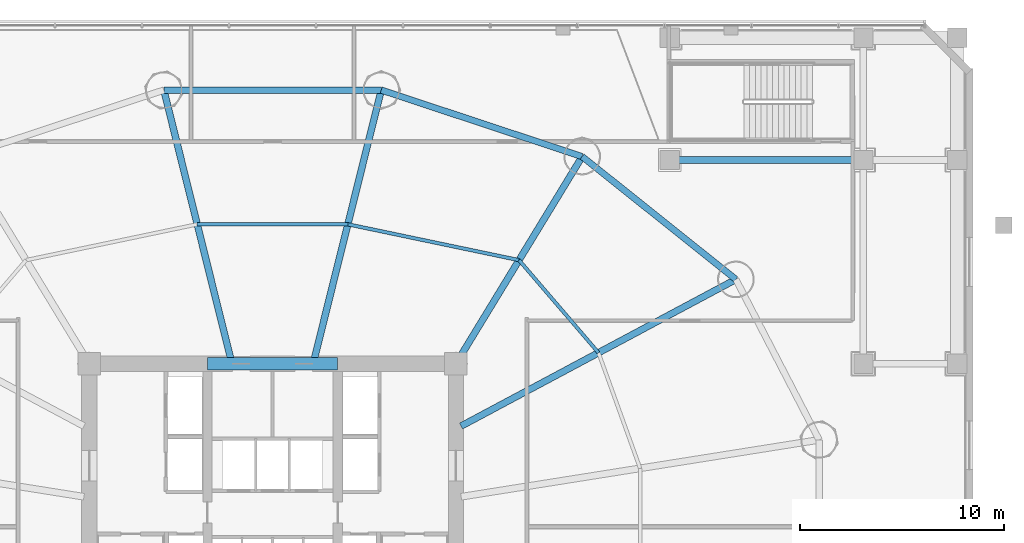
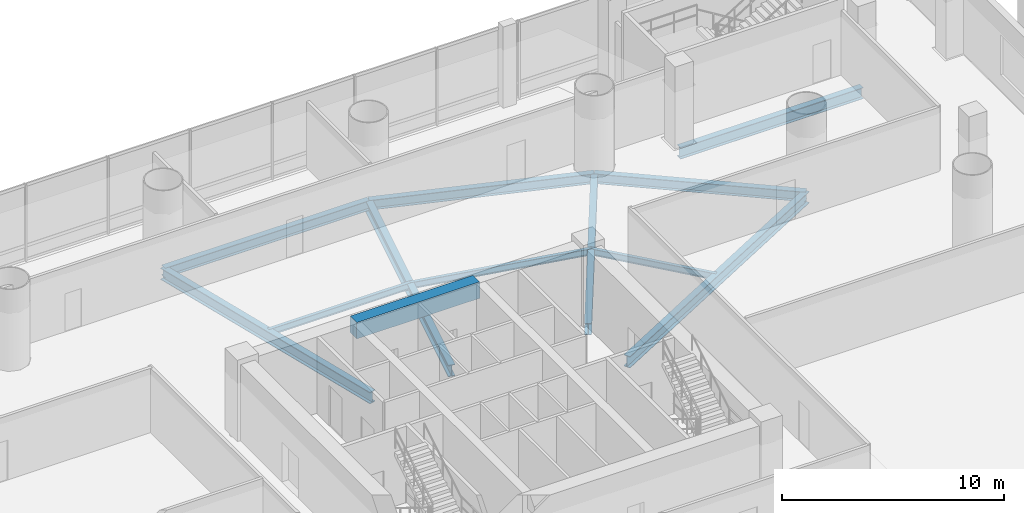
# One storey, part 13 of 36: 12 beams.
"""IFC4 building model written with IfcOpenShell, lengths in metres."""

from ifc_helpers import new_model, si_unit, direction, frame, origin, origin_2d, place, context, subcontext, project, spatial, rectangle, i_section, extrude, material, material_profile, profile_set, type_object, element, save


model = new_model("IFC4")

# Units and contexts
model_context = context("Model", 3, precision=1e-05, world=origin(), true_north=direction((-0.2419218956, 0.970295726276)))
body_context = subcontext(model_context, "Body", "Model", "MODEL_VIEW")
ifc_project = project(units=[si_unit("LENGTHUNIT", "METRE"), si_unit("AREAUNIT", "SQUARE_METRE"), si_unit("VOLUMEUNIT", "CUBIC_METRE"), si_unit("PLANEANGLEUNIT", "RADIAN"), si_unit("MASSUNIT", "GRAM", prefix="KILO")], contexts=[model_context])

# Site, building, storey
site_placement = place(None, origin())
site = spatial("IfcSite", under=ifc_project, at=site_placement, CompositionType="ELEMENT")
building_placement = place(site_placement, origin())
building = spatial("IfcBuilding", under=site, at=building_placement, Name="Cobrevalo Terracotta Tower", CompositionType="ELEMENT")
storey_placement = place(building_placement, frame((0.0, 0.0, 9.89990234375)))
storey = spatial("IfcBuildingStorey", under=building, at=storey_placement, Name="L02", CompositionType="ELEMENT", Elevation=9.89990234375)

# Beams
ifc_material_1 = material(Name="Concrete C60", Category="concrete")
ifc_material_profile_1 = material_profile(ifc_material_1, rectangle(XDim=0.60009765625, YDim=0.89990234375, at=origin_2d()), Name="RC CB 600x900")
ifc_profile_set_1 = profile_set([ifc_material_profile_1], Name="Concrete C60")
beam_type_1 = type_object("IfcBeamType", Name="Structural Beam RC CB 600x900 (Concrete C60)", PredefinedType="BEAM", material=ifc_profile_set_1)
beam_1_placement = place(storey_placement, frame((34.800048828125, 34.800048828125, 3.75), z_axis=(1.0, 0.0, 0.0), x_axis=(0.0, 1.0, 0.0)))
element("IfcBeam", 1, at=beam_1_placement, inside=storey, type_object=beam_type_1, Name="L02 core coupling beam 2", PredefinedType="BEAM", context=body_context, shape_type="SweptSolid", body=[
    extrude(rectangle(XDim=0.60009765625, YDim=0.89990234375, at=origin_2d()), origin(), (0.0, 0.0, 1.0), 6.39990234375),
])
ifc_material_2 = material(Name="Steel S355", Category="steel")
ifc_material_profile_2 = material_profile(ifc_material_2, i_section(OverallWidth=0.324951171875, OverallDepth=0.615966796875, WebThickness=0.013916015625, FlangeThickness=0.021484375, at=origin_2d()), Name="W 610x174")
ifc_profile_set_2 = profile_set([ifc_material_profile_2], Name="Steel S355")
beam_type_2 = type_object("IfcBeamType", Name="Structural Beam W 610x174 (Steel S355)", PredefinedType="BEAM", material=ifc_profile_set_2)
beam_2_placement = place(storey_placement, frame((57.5, 44.800048828125, -0.60791015625), z_axis=(1.0, 0.0, 0.0), x_axis=(0.0, 1.0, 0.0)))
element("IfcBeam", 2, at=beam_2_placement, inside=storey, type_object=beam_type_2, Name="L02 podium grid beam G7-GF to G8-GF", PredefinedType="BEAM", context=body_context, shape_type="SweptSolid", body=[
    extrude(i_section(OverallWidth=0.324951171875, OverallDepth=0.615966796875, WebThickness=0.013916015625, FlangeThickness=0.021484375, at=origin_2d()), origin(), (0.0, 0.0, 1.0), 9.5),
])
ifc_material_profile_3 = material_profile(ifc_material_2, i_section(OverallWidth=0.3291015625, OverallDepth=0.635009765625, WebThickness=0.017822265625, FlangeThickness=0.031005859375, at=origin_2d()), Name="W 610x241")
ifc_profile_set_3 = profile_set([ifc_material_profile_3], Name="Steel S355")
beam_type_3 = type_object("IfcBeamType", Name="Structural Beam W 610x241 (Steel S355)", PredefinedType="BEAM", material=ifc_profile_set_3)
beam_3_placement = place(storey_placement, frame((60.74072265625, 38.939208984375, -0.617431640625), z_axis=(-0.88218223571, -0.470908168329, 0.0), x_axis=(0.470908168329, -0.88218223571, 0.0)))
element("IfcBeam", 3, at=beam_3_placement, inside=storey, type_object=beam_type_3, Name="L02 radial floor girder 02", PredefinedType="BEAM", context=body_context, shape_type="SweptSolid", body=[
    extrude(i_section(OverallWidth=0.3291015625, OverallDepth=0.635009765625, WebThickness=0.017822265625, FlangeThickness=0.031005859375, at=origin_2d()), origin(), (0.0, 0.0, 1.0), 15.286865234375),
])
beam_4_placement = place(storey_placement, frame((53.19482421875, 44.967529296875, -0.617431640625), z_axis=(-0.520309892051, -0.853977526773, 0.0), x_axis=(0.853977526773, -0.520309892051, 0.0)))
element("IfcBeam", 4, at=beam_4_placement, inside=storey, type_object=beam_type_3, Name="L02 radial floor girder 03", PredefinedType="BEAM", context=body_context, shape_type="SweptSolid", body=[
    extrude(i_section(OverallWidth=0.3291015625, OverallDepth=0.635009765625, WebThickness=0.017822265625, FlangeThickness=0.031005859375, at=origin_2d()), origin(), (0.0, 0.0, 1.0), 11.906005859375),
])
for number, where, z_axis, x_axis, name in (
    (5, (43.335693359375, 48.230224609375, -0.617431640625), (-0.241596254786, -0.970376859614, 0.0), (0.970376859614, -0.241596254786, 0.0), "L02 radial floor girder 04"),
    (6, (32.664306640625, 48.230224609375, -0.617431640625), (0.241596254786, -0.970376859614, 0.0), (0.970376859614, 0.241596254786, 0.0), "L02 radial floor girder 05"),
):
    element("IfcBeam", number, at=place(storey_placement, frame(where, z_axis=z_axis, x_axis=x_axis)), inside=storey, type_object=beam_type_3, Name=name, PredefinedType="BEAM", context=body_context, shape_type="SweptSolid", body=[
        extrude(i_section(OverallWidth=0.3291015625, OverallDepth=0.635009765625, WebThickness=0.017822265625, FlangeThickness=0.031005859375, at=origin_2d()), origin(), (0.0, 0.0, 1.0), 13.577392578125),
    ])
ifc_material_profile_4 = material_profile(ifc_material_2, i_section(OverallWidth=0.1708984375, OverallDepth=0.35498046875, WebThickness=0.007080078125, FlangeThickness=0.01171875, at=origin_2d()), Name="W 360x51")
ifc_profile_set_4 = profile_set([ifc_material_profile_4], Name="Steel S355")
beam_type_4 = type_object("IfcBeamType", Name="Structural Joist W 360x51 (Steel S355)", PredefinedType="JOIST", material=ifc_profile_set_4)
beam_5_placement = place(storey_placement, frame((53.997802734375, 35.33984375, -0.477294921875), z_axis=(-0.651328404454, 0.758795960421, 0.0), x_axis=(-0.758795960421, -0.651328404454, 0.0)))
element("IfcBeam", 7, at=beam_5_placement, inside=storey, type_object=beam_type_4, Name="L02 circumferential secondary floor joist 02", PredefinedType="JOIST", context=body_context, shape_type="SweptSolid", body=[
    extrude(i_section(OverallWidth=0.1708984375, OverallDepth=0.35498046875, WebThickness=0.007080078125, FlangeThickness=0.01171875, at=origin_2d()), origin(), (0.0, 0.0, 1.0), 5.98828125),
])
beam_6_placement = place(storey_placement, frame((50.097412109375, 39.8837890625, -0.477294921875), z_axis=(-0.978784523904, 0.204892302848, 0.0), x_axis=(-0.204892302848, -0.978784523904, 0.0)))
element("IfcBeam", 8, at=beam_6_placement, inside=storey, type_object=beam_type_4, Name="L02 circumferential secondary floor joist 03", PredefinedType="JOIST", context=body_context, shape_type="SweptSolid", body=[
    extrude(i_section(OverallWidth=0.1708984375, OverallDepth=0.35498046875, WebThickness=0.007080078125, FlangeThickness=0.01171875, at=origin_2d()), origin(), (0.0, 0.0, 1.0), 8.583984375),
])
beam_7_placement = place(storey_placement, frame((41.695556640625, 41.642578125, -0.477294921875), z_axis=(-1.0, 0.0, 0.0), x_axis=(0.0, -1.0, 0.0)))
element("IfcBeam", 9, at=beam_7_placement, inside=storey, type_object=beam_type_4, Name="L02 circumferential secondary floor joist 04", PredefinedType="JOIST", context=body_context, shape_type="SweptSolid", body=[
    extrude(i_section(OverallWidth=0.1708984375, OverallDepth=0.35498046875, WebThickness=0.007080078125, FlangeThickness=0.01171875, at=origin_2d()), origin(), (0.0, 0.0, 1.0), 7.39111328125),
])
ifc_material_profile_5 = material_profile(ifc_material_2, i_section(OverallWidth=0.31201171875, OverallDepth=0.54296875, WebThickness=0.0126953125, FlangeThickness=0.020263671875, at=origin_2d()), Name="W 530x150")
ifc_profile_set_5 = profile_set([ifc_material_profile_5], Name="Steel S355")
beam_type_5 = type_object("IfcBeamType", Name="Structural Spandrel W 530x150 (Steel S355)", PredefinedType="SPANDREL", material=ifc_profile_set_5)
beam_8_placement = place(storey_placement, frame((60.74072265625, 38.939208984375, -0.5712890625), z_axis=(-0.781292806807, 0.62416468182, 0.0), x_axis=(-0.62416468182, -0.781292806807, 0.0)))
element("IfcBeam", 10, at=beam_8_placement, inside=storey, type_object=beam_type_5, Name="L02 perimeter ring spandrel 02", PredefinedType="SPANDREL", context=body_context, shape_type="SweptSolid", body=[
    extrude(i_section(OverallWidth=0.31201171875, OverallDepth=0.54296875, WebThickness=0.0126953125, FlangeThickness=0.020263671875, at=origin_2d()), origin(), (0.0, 0.0, 1.0), 9.658203125),
])
beam_9_placement = place(storey_placement, frame((53.19482421875, 44.967529296875, -0.5712890625), z_axis=(-0.949365190876, 0.314174687638, 0.0), x_axis=(-0.314174687638, -0.949365190876, 0.0)))
element("IfcBeam", 11, at=beam_9_placement, inside=storey, type_object=beam_type_5, Name="L02 perimeter ring spandrel 03", PredefinedType="SPANDREL", context=body_context, shape_type="SweptSolid", body=[
    extrude(i_section(OverallWidth=0.31201171875, OverallDepth=0.54296875, WebThickness=0.0126953125, FlangeThickness=0.020263671875, at=origin_2d()), origin(), (0.0, 0.0, 1.0), 10.385009765625),
])
beam_10_placement = place(storey_placement, frame((43.335693359375, 48.230224609375, -0.5712890625), z_axis=(-1.0, 0.0, 0.0), x_axis=(0.0, -1.0, 0.0)))
element("IfcBeam", 12, at=beam_10_placement, inside=storey, type_object=beam_type_5, Name="L02 perimeter ring spandrel 04", PredefinedType="SPANDREL", context=body_context, shape_type="SweptSolid", body=[
    extrude(i_section(OverallWidth=0.31201171875, OverallDepth=0.54296875, WebThickness=0.0126953125, FlangeThickness=0.020263671875, at=origin_2d()), origin(), (0.0, 0.0, 1.0), 10.67138671875),
])

save(model, "model.ifc")
